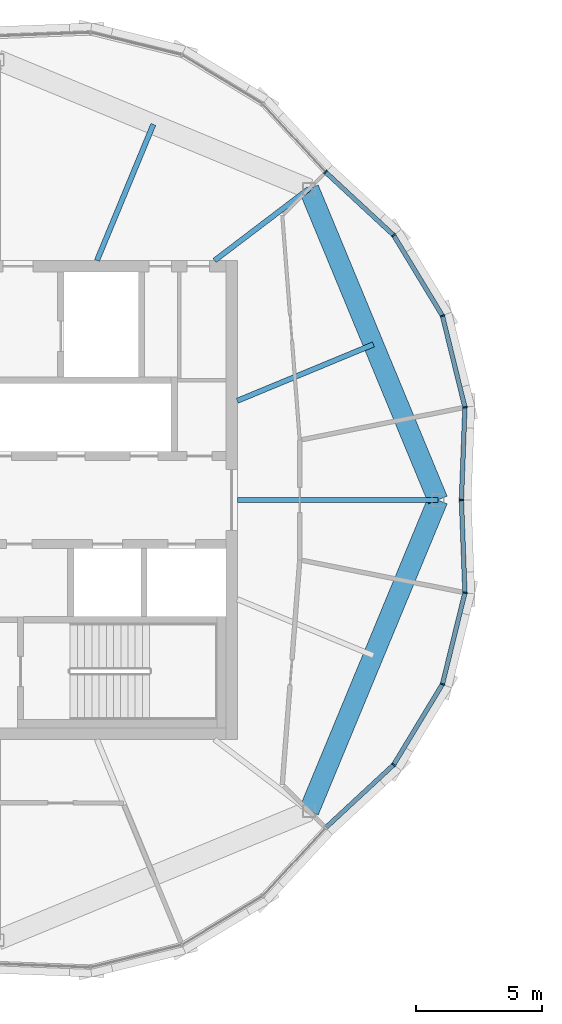
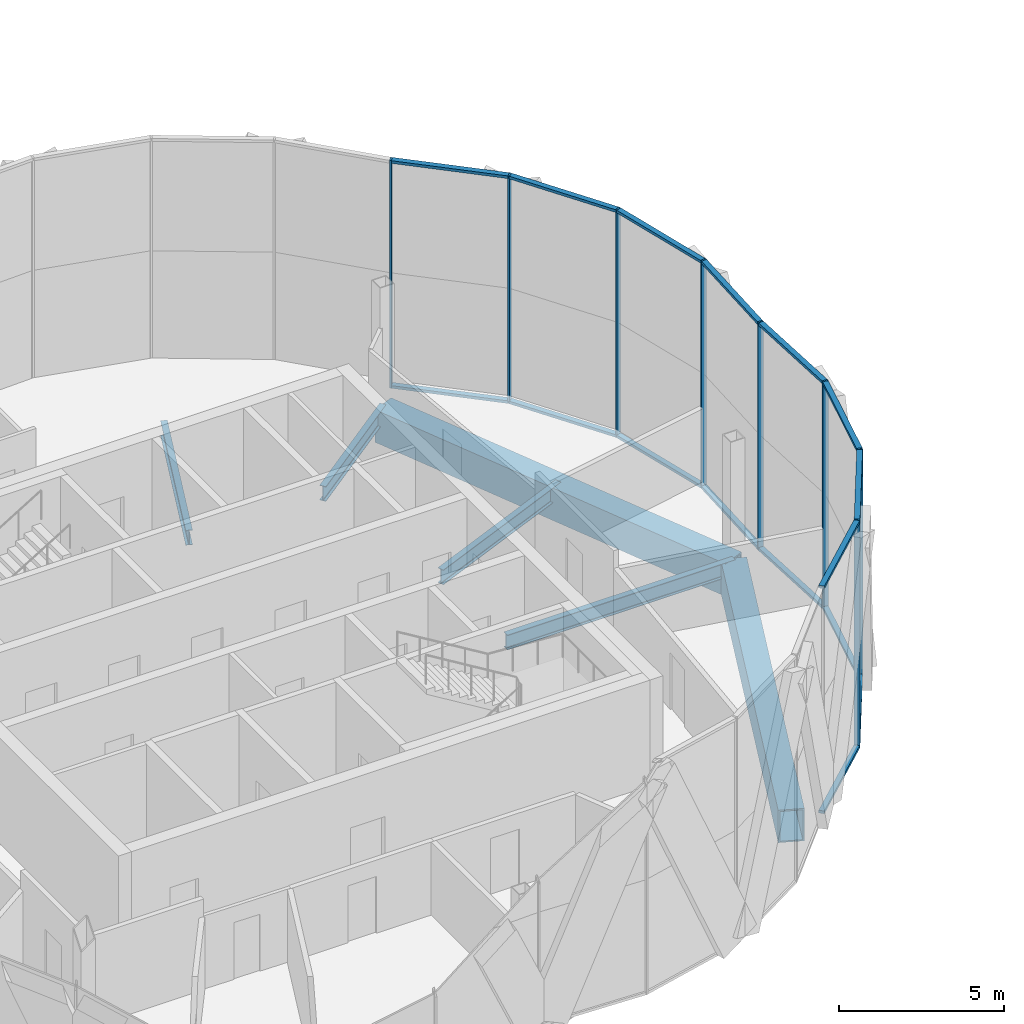
# One storey, part 6 of 22: 24 members, 6 beams, 2 elements without a shape of their own.
"""IFC4 building model written with IfcOpenShell, lengths in metres."""

from ifc_helpers import new_model, si_unit, direction, frame, origin, origin_2d, place, context, subcontext, project, spatial, rectangle, hollow_rectangle, i_section, extrude, material, material_profile, profile_set, type_object, element, aggregate, save


model = new_model("IFC4")

# Units and contexts
model_context = context("Model", 3, precision=1e-05, world=origin(), true_north=direction((0.0, 1.0)))
body_context = subcontext(model_context, "Body", "Model", "MODEL_VIEW")
ifc_project = project(units=[si_unit("LENGTHUNIT", "METRE"), si_unit("AREAUNIT", "SQUARE_METRE"), si_unit("VOLUMEUNIT", "CUBIC_METRE"), si_unit("PLANEANGLEUNIT", "RADIAN"), si_unit("MASSUNIT", "GRAM", prefix="KILO")], contexts=[model_context])

# Site, building, storey
site_placement = place(None, origin())
site = spatial("IfcSite", under=ifc_project, at=site_placement, CompositionType="ELEMENT")
building_placement = place(site_placement, origin())
building = spatial("IfcBuilding", under=site, at=building_placement, Name="Ogive Gate Towers", CompositionType="ELEMENT")
storey_placement = place(building_placement, frame((0.0, 0.0, 285.60009765625)))
storey = spatial("IfcBuildingStorey", under=building, at=storey_placement, Name="L67", CompositionType="ELEMENT", Elevation=285.60009765625)

# Beams
ifc_material_1 = material(Name="Steel SM460", Category="steel")
ifc_material_profile_1 = material_profile(ifc_material_1, hollow_rectangle(XDim=0.800048828125, YDim=1.199951171875, WallThickness=0.050048828125, at=origin_2d()), Name="BX 1200x800x50")
ifc_profile_set_1 = profile_set([ifc_material_profile_1], Name="Steel SM460")
beam_type_1 = type_object("IfcBeamType", Name="Edge girder BX 1200x800x50", PredefinedType="BEAM", material=ifc_profile_set_1)
for number, where, z_axis, x_axis, name in (
    (1, (-23.657470703125, -12.342529296875, -0.900146484375), (0.382690191996, 0.923876732551, 0.0), (-0.923876732551, 0.382690191996, 0.0), "T1/L67/SBM019"),
    (2, (-18.544921875, 0.0, -0.900146484375), (-0.382690191996, 0.923876732551, 0.0), (-0.923876732551, -0.382690191996, 0.0), "T1/L67/SBM020"),
):
    element("IfcBeam", number, at=place(storey_placement, frame(where, z_axis=z_axis, x_axis=x_axis)), inside=storey, type_object=beam_type_1, Name=name, PredefinedType="BEAM", context=body_context, shape_type="SweptSolid", body=[
        extrude(hollow_rectangle(XDim=0.800048828125, YDim=1.199951171875, WallThickness=0.050048828125, at=origin_2d()), origin(), (0.0, 0.0, 1.0), 13.359619140625),
    ])
ifc_material_2 = material(Name="Steel SM355", Category="steel")
ifc_material_profile_2 = material_profile(ifc_material_2, i_section(OverallWidth=0.2099609375, OverallDepth=0.550048828125, WebThickness=0.010986328125, FlangeThickness=0.01708984375, FilletRadius=0.02392578125, at=origin_2d()), Name="IPE 550")
ifc_profile_set_2 = profile_set([ifc_material_profile_2], Name="Steel SM355")
beam_type_2 = type_object("IfcBeamType", Name="Radial floor beam IPE 550", PredefinedType="BEAM", material=ifc_profile_set_2)
beam_1_placement = place(storey_placement, frame((-26.5, 0.0, -0.5751953125), z_axis=(1.0, 0.0, 0.0), x_axis=(0.0, 1.0, 0.0)))
element("IfcBeam", 3, at=beam_1_placement, inside=storey, type_object=beam_type_2, Name="T1/L67/SBM007", PredefinedType="BEAM", context=body_context, shape_type="SweptSolid", body=[
    extrude(i_section(OverallWidth=0.2099609375, OverallDepth=0.550048828125, WebThickness=0.010986328125, FlangeThickness=0.01708984375, FilletRadius=0.02392578125, at=origin_2d()), origin(), (0.0, 0.0, 1.0), 7.955078125),
])
beam_2_placement = place(storey_placement, frame((-26.5, 3.93505859375, -0.5751953125), z_axis=(0.923872213225, 0.382701102209, 0.0), x_axis=(-0.382701102209, 0.923872213225, 0.0)))
element("IfcBeam", 4, at=beam_2_placement, inside=storey, type_object=beam_type_2, Name="T1/L67/SBM008", PredefinedType="BEAM", context=body_context, shape_type="SweptSolid", body=[
    extrude(i_section(OverallWidth=0.2099609375, OverallDepth=0.550048828125, WebThickness=0.010986328125, FlangeThickness=0.01708984375, FilletRadius=0.02392578125, at=origin_2d()), origin(), (0.0, 0.0, 1.0), 5.843505859375),
])
beam_3_placement = place(storey_placement, frame((-27.39990234375, 9.5, -0.5751953125), z_axis=(0.796338347087, 0.604851417257, 0.0), x_axis=(-0.604851417257, 0.796338347087, 0.0)))
element("IfcBeam", 5, at=beam_3_placement, inside=storey, type_object=beam_type_2, Name="T1/L67/SBM009", PredefinedType="BEAM", context=body_context, shape_type="SweptSolid", body=[
    extrude(i_section(OverallWidth=0.2099609375, OverallDepth=0.550048828125, WebThickness=0.010986328125, FlangeThickness=0.01708984375, FilletRadius=0.02392578125, at=origin_2d()), origin(), (0.0, 0.0, 1.0), 4.699462890625),
])
beam_4_placement = place(storey_placement, frame((-32.06494140625, 9.5, -0.5751953125), z_axis=(0.382701102209, 0.923872213225, 0.0), x_axis=(-0.923872213225, 0.382701102209, 0.0)))
element("IfcBeam", 6, at=beam_4_placement, inside=storey, type_object=beam_type_2, Name="T1/L67/SBM010", PredefinedType="BEAM", context=body_context, shape_type="SweptSolid", body=[
    extrude(i_section(OverallWidth=0.2099609375, OverallDepth=0.550048828125, WebThickness=0.010986328125, FlangeThickness=0.01708984375, FilletRadius=0.02392578125, at=origin_2d()), origin(), (0.0, 0.0, 1.0), 5.843505859375),
])

# Curtain wall, members
ifc_material_3 = material(Name="Pale metal aluminium", Category="aluminium")
curtain_wall_type = type_object("IfcCurtainWallType", Name="Tower unitised wall, high zone", PredefinedType="NOTDEFINED", material=ifc_material_3)
curtain_wall_1_placement = place(storey_placement, origin())
curtain_wall_1 = element("IfcCurtainWall", 7, at=curtain_wall_1_placement, inside=storey, type_object=curtain_wall_type, Name="CW2 T1 ECW01", PredefinedType="NOTDEFINED")
ifc_material_profile_3 = material_profile(ifc_material_3, rectangle(XDim=0.179931640625, YDim=0.06005859375, at=origin_2d()), Name="60 x 180 aluminium box")
ifc_profile_set_3 = profile_set([ifc_material_profile_3], Name="Pale metal aluminium")
member_type_1 = type_object("IfcMemberType", Name="Tower unitised wall, high zone mullion 60 x 180", PredefinedType="MULLION", material=ifc_profile_set_3)
member_1_placement = place(storey_placement, frame((-17.60986328125, 0.00048828125, -0.300048828125), z_axis=(0.0, 0.0, 1.0), x_axis=(0.999285520255, -0.037794827812, 0.0)))
member_1 = element("IfcMember", 8, at=member_1_placement, type_object=member_type_1, Name="CW2 mullion", PredefinedType="MULLION", context=body_context, shape_type="SweptSolid", body=[
    extrude(rectangle(XDim=0.179931640625, YDim=0.06005859375, at=origin_2d()), origin(), (0.0, 0.0, 1.0), 8.39990234375),
])
member_2_placement = place(storey_placement, frame((-17.470703125, 3.677001953125, -0.300048828125), z_axis=(0.0, 0.0, 1.0), x_axis=(0.99485068103, 0.101351479779, 0.0)))
member_2 = element("IfcMember", 9, at=member_2_placement, type_object=member_type_1, Name="CW2 mullion", PredefinedType="MULLION", context=body_context, shape_type="SweptSolid", body=[
    extrude(rectangle(XDim=0.179931640625, YDim=0.06005859375, at=origin_2d()), origin(), (0.0, 0.0, 1.0), 8.39990234375),
])
member_3_placement = place(storey_placement, frame((-18.362060546875, 7.305908203125, -0.300048828125), z_axis=(0.0, 0.0, 1.0), x_axis=(0.923879532511, 0.382683432365, 0.0)))
member_3 = element("IfcMember", 10, at=member_3_placement, type_object=member_type_1, Name="CW2 mullion", PredefinedType="MULLION", context=body_context, shape_type="SweptSolid", body=[
    extrude(rectangle(XDim=0.179931640625, YDim=0.06005859375, at=origin_2d()), origin(), (0.0, 0.0, 1.0), 8.39990234375),
])
member_4_placement = place(storey_placement, frame((-20.2978515625, 10.502197265625, -0.300048828125), z_axis=(0.0, 0.0, 1.0), x_axis=(0.775120954363, 0.631812872699, 0.0)))
member_4 = element("IfcMember", 11, at=member_4_placement, type_object=member_type_1, Name="CW2 mullion", PredefinedType="MULLION", context=body_context, shape_type="SweptSolid", body=[
    extrude(rectangle(XDim=0.179931640625, YDim=0.06005859375, at=origin_2d()), origin(), (0.0, 0.0, 1.0), 8.39990234375),
])
member_5_placement = place(storey_placement, frame((-22.99609375, 13.00341796875, -0.300048828125), z_axis=(0.0, 0.0, 1.0), x_axis=(0.679863789608, 0.733338412727, 0.0)))
member_5 = element("IfcMember", 12, at=member_5_placement, type_object=member_type_1, Name="CW2 mullion", PredefinedType="MULLION", context=body_context, shape_type="SweptSolid", body=[
    extrude(rectangle(XDim=0.179931640625, YDim=0.06005859375, at=origin_2d()), origin(), (0.0, 0.0, 1.0), 8.39990234375),
])

curtain_wall_2_placement = place(storey_placement, origin())
curtain_wall_2 = element("IfcCurtainWall", 13, at=curtain_wall_2_placement, inside=storey, type_object=curtain_wall_type, Name="CW2 T1 ECW08", PredefinedType="NOTDEFINED")
member_6_placement = place(storey_placement, frame((-20.2978515625, -10.502197265625, -0.300048828125), z_axis=(0.0, 0.0, 1.0), x_axis=(0.775120954363, -0.631812872699, 0.0)))
member_6 = element("IfcMember", 14, at=member_6_placement, type_object=member_type_1, Name="CW2 mullion", PredefinedType="MULLION", context=body_context, shape_type="SweptSolid", body=[
    extrude(rectangle(XDim=0.179931640625, YDim=0.06005859375, at=origin_2d()), origin(), (0.0, 0.0, 1.0), 8.39990234375),
])
member_7_placement = place(storey_placement, frame((-18.362060546875, -7.305908203125, -0.300048828125), z_axis=(0.0, 0.0, 1.0), x_axis=(0.923879532511, -0.382683432365, 0.0)))
member_7 = element("IfcMember", 15, at=member_7_placement, type_object=member_type_1, Name="CW2 mullion", PredefinedType="MULLION", context=body_context, shape_type="SweptSolid", body=[
    extrude(rectangle(XDim=0.179931640625, YDim=0.06005859375, at=origin_2d()), origin(), (0.0, 0.0, 1.0), 8.39990234375),
])
member_8_placement = place(storey_placement, frame((-17.470703125, -3.677001953125, -0.300048828125), z_axis=(0.0, 0.0, 1.0), x_axis=(0.99485068103, -0.101351479779, 0.0)))
member_8 = element("IfcMember", 16, at=member_8_placement, type_object=member_type_1, Name="CW2 mullion", PredefinedType="MULLION", context=body_context, shape_type="SweptSolid", body=[
    extrude(rectangle(XDim=0.179931640625, YDim=0.06005859375, at=origin_2d()), origin(), (0.0, 0.0, 1.0), 8.39990234375),
])

# Member
ifc_material_profile_4 = material_profile(ifc_material_3, rectangle(XDim=0.179931640625, YDim=0.10009765625, at=origin_2d()), Name="100 x 180 aluminium box")
ifc_profile_set_4 = profile_set([ifc_material_profile_4], Name="Pale metal aluminium")
member_type_2 = type_object("IfcMemberType", Name="Tower unitised wall, high zone transom 100 x 180", PredefinedType="USERDEFINED", material=ifc_profile_set_4)
member_9_placement = place(storey_placement, frame((-17.60888671875, 0.030517578125, 8.0498046875), z_axis=(0.03783225687, 0.999284103916, 0.0), x_axis=(-0.999284103916, 0.03783225687, 0.0)))
member_9 = element("IfcMember", 17, at=member_9_placement, type_object=member_type_2, Name="CW2 transom", ObjectType="TRANSOM", PredefinedType="USERDEFINED", context=body_context, shape_type="SweptSolid", body=[
    extrude(rectangle(XDim=0.179931640625, YDim=0.10009765625, at=origin_2d()), origin(), (0.0, 0.0, 1.0), 3.620361328125),
])

member_10_placement = place(storey_placement, frame((-17.60888671875, 0.030517578125, -0.25), z_axis=(0.03783225687, 0.999284103916, 0.0), x_axis=(-0.999284103916, 0.03783225687, 0.0)))
member_10 = element("IfcMember", 18, at=member_10_placement, type_object=member_type_2, Name="CW2 transom", ObjectType="TRANSOM", PredefinedType="USERDEFINED", context=body_context, shape_type="SweptSolid", body=[
    extrude(rectangle(XDim=0.179931640625, YDim=0.10009765625, at=origin_2d()), origin(), (0.0, 0.0, 1.0), 3.620361328125),
])

member_11_placement = place(storey_placement, frame((-17.477783203125, 3.70458984375, 8.0498046875), z_axis=(-0.238506074242, 0.971141005493, 0.0), x_axis=(-0.971141005493, -0.238506074242, 0.0)))
member_11 = element("IfcMember", 19, at=member_11_placement, type_object=member_type_2, Name="CW2 transom", ObjectType="TRANSOM", PredefinedType="USERDEFINED", context=body_context, shape_type="SweptSolid", body=[
    extrude(rectangle(XDim=0.179931640625, YDim=0.10009765625, at=origin_2d()), origin(), (0.0, 0.0, 1.0), 3.679931640625),
])

member_12_placement = place(storey_placement, frame((-17.477783203125, 3.70458984375, -0.25), z_axis=(-0.238506074242, 0.971141005493, 0.0), x_axis=(-0.971141005493, -0.238506074242, 0.0)))
member_12 = element("IfcMember", 20, at=member_12_placement, type_object=member_type_2, Name="CW2 transom", ObjectType="TRANSOM", PredefinedType="USERDEFINED", context=body_context, shape_type="SweptSolid", body=[
    extrude(rectangle(XDim=0.179931640625, YDim=0.10009765625, at=origin_2d()), origin(), (0.0, 0.0, 1.0), 3.679931640625),
])

member_13_placement = place(storey_placement, frame((-18.376953125, 7.330078125, 8.0498046875), z_axis=(-0.518013498205, 0.855372442669, 0.0), x_axis=(-0.855372442669, -0.518013498205, 0.0)))
member_13 = element("IfcMember", 21, at=member_13_placement, type_object=member_type_2, Name="CW2 transom", ObjectType="TRANSOM", PredefinedType="USERDEFINED", context=body_context, shape_type="SweptSolid", body=[
    extrude(rectangle(XDim=0.179931640625, YDim=0.10009765625, at=origin_2d()), origin(), (0.0, 0.0, 1.0), 3.679931640625),
])

member_14_placement = place(storey_placement, frame((-18.376953125, 7.330078125, -0.25), z_axis=(-0.518013498205, 0.855372442669, 0.0), x_axis=(-0.855372442669, -0.518013498205, 0.0)))
member_14 = element("IfcMember", 22, at=member_14_placement, type_object=member_type_2, Name="CW2 transom", ObjectType="TRANSOM", PredefinedType="USERDEFINED", context=body_context, shape_type="SweptSolid", body=[
    extrude(rectangle(XDim=0.179931640625, YDim=0.10009765625, at=origin_2d()), origin(), (0.0, 0.0, 1.0), 3.679931640625),
])

member_15_placement = place(storey_placement, frame((-20.31884765625, 10.521484375, 8.0498046875), z_axis=(-0.733335999654, 0.679866392471, 0.0), x_axis=(-0.679866392471, -0.733335999654, 0.0)))
member_15 = element("IfcMember", 23, at=member_15_placement, type_object=member_type_2, Name="CW2 transom", ObjectType="TRANSOM", PredefinedType="USERDEFINED", context=body_context, shape_type="SweptSolid", body=[
    extrude(rectangle(XDim=0.179931640625, YDim=0.10009765625, at=origin_2d()), origin(), (0.0, 0.0, 1.0), 3.620849609375),
])

member_16_placement = place(storey_placement, frame((-20.31884765625, 10.521484375, -0.25), z_axis=(-0.733335999654, 0.679866392471, 0.0), x_axis=(-0.679866392471, -0.733335999654, 0.0)))
member_16 = element("IfcMember", 24, at=member_16_placement, type_object=member_type_2, Name="CW2 transom", ObjectType="TRANSOM", PredefinedType="USERDEFINED", context=body_context, shape_type="SweptSolid", body=[
    extrude(rectangle(XDim=0.179931640625, YDim=0.10009765625, at=origin_2d()), origin(), (0.0, 0.0, 1.0), 3.620849609375),
])

aggregate(curtain_wall_1, [member_1, member_2, member_9, member_10, member_3, member_11, member_12, member_4, member_13, member_14, member_5, member_15, member_16])

member_17_placement = place(storey_placement, frame((-22.97412109375, -12.983154296875, 8.0498046875), z_axis=(0.733335999654, 0.679866392471, 0.0), x_axis=(-0.679866392471, 0.733335999654, 0.0)))
member_17 = element("IfcMember", 25, at=member_17_placement, type_object=member_type_2, Name="CW2 transom", ObjectType="TRANSOM", PredefinedType="USERDEFINED", context=body_context, shape_type="SweptSolid", body=[
    extrude(rectangle(XDim=0.179931640625, YDim=0.10009765625, at=origin_2d()), origin(), (0.0, 0.0, 1.0), 3.620849609375),
])

member_18_placement = place(storey_placement, frame((-22.97412109375, -12.983154296875, -0.25), z_axis=(0.733335999654, 0.679866392471, 0.0), x_axis=(-0.679866392471, 0.733335999654, 0.0)))
member_18 = element("IfcMember", 26, at=member_18_placement, type_object=member_type_2, Name="CW2 transom", ObjectType="TRANSOM", PredefinedType="USERDEFINED", context=body_context, shape_type="SweptSolid", body=[
    extrude(rectangle(XDim=0.179931640625, YDim=0.10009765625, at=origin_2d()), origin(), (0.0, 0.0, 1.0), 3.620849609375),
])

member_19_placement = place(storey_placement, frame((-20.283203125, -10.477783203125, 8.0498046875), z_axis=(0.518013498205, 0.855372442669, 0.0), x_axis=(-0.855372442669, 0.518013498205, 0.0)))
member_19 = element("IfcMember", 27, at=member_19_placement, type_object=member_type_2, Name="CW2 transom", ObjectType="TRANSOM", PredefinedType="USERDEFINED", context=body_context, shape_type="SweptSolid", body=[
    extrude(rectangle(XDim=0.179931640625, YDim=0.10009765625, at=origin_2d()), origin(), (0.0, 0.0, 1.0), 3.679931640625),
])

member_20_placement = place(storey_placement, frame((-20.283203125, -10.477783203125, -0.25), z_axis=(0.518013498205, 0.855372442669, 0.0), x_axis=(-0.855372442669, 0.518013498205, 0.0)))
member_20 = element("IfcMember", 28, at=member_20_placement, type_object=member_type_2, Name="CW2 transom", ObjectType="TRANSOM", PredefinedType="USERDEFINED", context=body_context, shape_type="SweptSolid", body=[
    extrude(rectangle(XDim=0.179931640625, YDim=0.10009765625, at=origin_2d()), origin(), (0.0, 0.0, 1.0), 3.679931640625),
])

member_21_placement = place(storey_placement, frame((-18.35546875, -7.2783203125, 8.0498046875), z_axis=(0.238506074242, 0.971141005493, 0.0), x_axis=(-0.971141005493, 0.238506074242, 0.0)))
member_21 = element("IfcMember", 29, at=member_21_placement, type_object=member_type_2, Name="CW2 transom", ObjectType="TRANSOM", PredefinedType="USERDEFINED", context=body_context, shape_type="SweptSolid", body=[
    extrude(rectangle(XDim=0.179931640625, YDim=0.10009765625, at=origin_2d()), origin(), (0.0, 0.0, 1.0), 3.679931640625),
])

member_22_placement = place(storey_placement, frame((-18.35546875, -7.2783203125, -0.25), z_axis=(0.238506074242, 0.971141005493, 0.0), x_axis=(-0.971141005493, 0.238506074242, 0.0)))
member_22 = element("IfcMember", 30, at=member_22_placement, type_object=member_type_2, Name="CW2 transom", ObjectType="TRANSOM", PredefinedType="USERDEFINED", context=body_context, shape_type="SweptSolid", body=[
    extrude(rectangle(XDim=0.179931640625, YDim=0.10009765625, at=origin_2d()), origin(), (0.0, 0.0, 1.0), 3.679931640625),
])

member_23_placement = place(storey_placement, frame((-17.471923828125, -3.648193359375, 8.0498046875), z_axis=(-0.03783225687, 0.999284103916, 0.0), x_axis=(-0.999284103916, -0.03783225687, 0.0)))
member_23 = element("IfcMember", 31, at=member_23_placement, type_object=member_type_2, Name="CW2 transom", ObjectType="TRANSOM", PredefinedType="USERDEFINED", context=body_context, shape_type="SweptSolid", body=[
    extrude(rectangle(XDim=0.179931640625, YDim=0.10009765625, at=origin_2d()), origin(), (0.0, 0.0, 1.0), 3.620361328125),
])

member_24_placement = place(storey_placement, frame((-17.471923828125, -3.648193359375, -0.25), z_axis=(-0.03783225687, 0.999284103916, 0.0), x_axis=(-0.999284103916, -0.03783225687, 0.0)))
member_24 = element("IfcMember", 32, at=member_24_placement, type_object=member_type_2, Name="CW2 transom", ObjectType="TRANSOM", PredefinedType="USERDEFINED", context=body_context, shape_type="SweptSolid", body=[
    extrude(rectangle(XDim=0.179931640625, YDim=0.10009765625, at=origin_2d()), origin(), (0.0, 0.0, 1.0), 3.620361328125),
])

aggregate(curtain_wall_2, [member_6, member_17, member_18, member_7, member_19, member_20, member_8, member_21, member_22, member_23, member_24])

save(model, "model.ifc")
